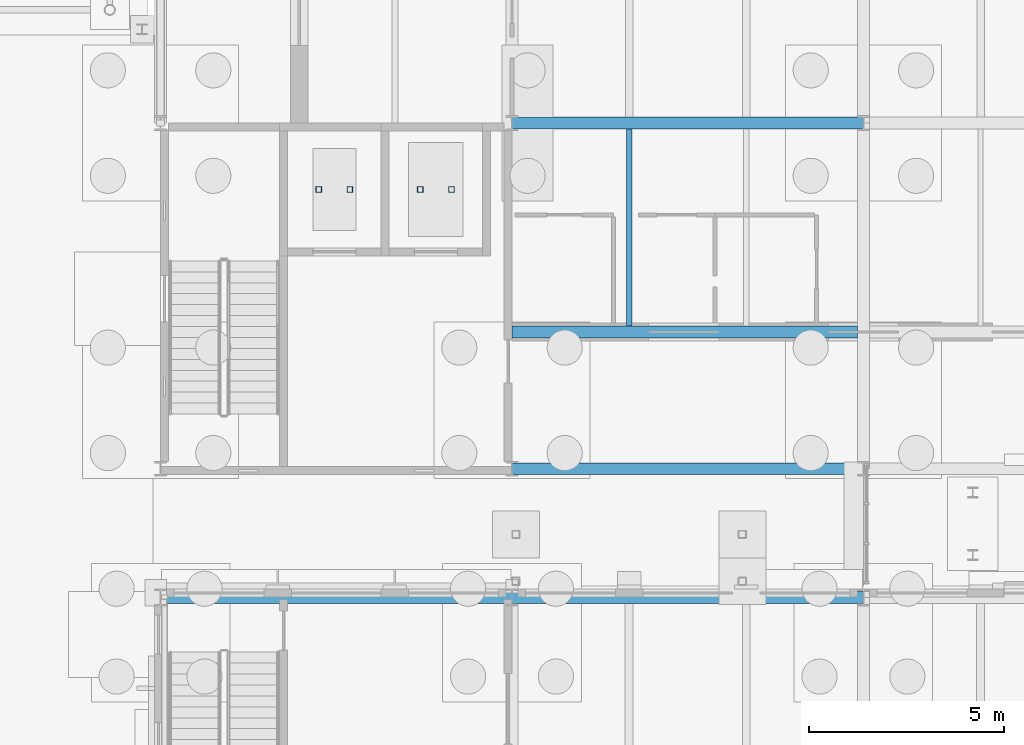
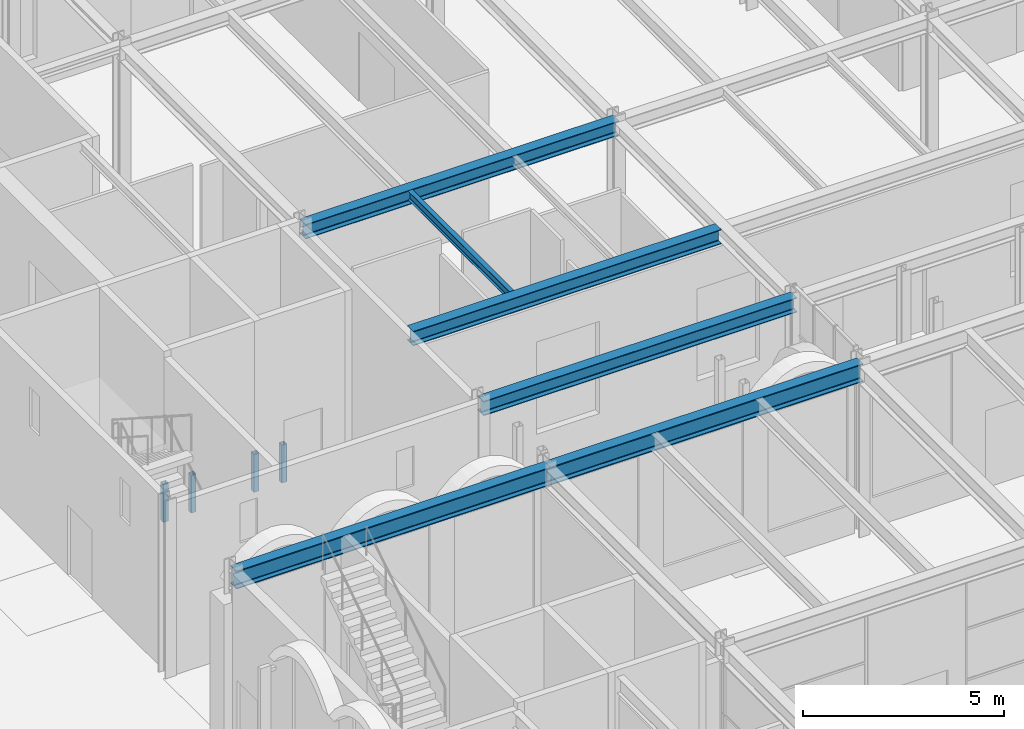
# One storey, part 47 of 126: 6 beams, 4 members.
"""IFC4 building model written with IfcOpenShell, lengths in metres."""

from ifc_helpers import new_model, si_unit, direction, frame, origin, origin_2d, place, context, subcontext, project, spatial, hollow_rectangle, i_section, extrude, material, material_profile, profile_set, type_object, element, save


model = new_model("IFC4")

# Units and contexts
model_context = context("Model", 3, precision=1e-05, world=origin(), true_north=direction((0.0, 1.0)))
body_context = subcontext(model_context, "Body", "Model", "MODEL_VIEW")
ifc_project = project(units=[si_unit("LENGTHUNIT", "METRE"), si_unit("AREAUNIT", "SQUARE_METRE"), si_unit("VOLUMEUNIT", "CUBIC_METRE"), si_unit("PLANEANGLEUNIT", "RADIAN"), si_unit("MASSUNIT", "GRAM", prefix="KILO")], contexts=[model_context])

# Site, building, storey
site_placement = place(None, origin())
site = spatial("IfcSite", under=ifc_project, at=site_placement, CompositionType="ELEMENT")
building_placement = place(site_placement, origin())
building = spatial("IfcBuilding", under=site, at=building_placement, Name="Kallimachos Central Library", CompositionType="ELEMENT")
storey_placement = place(building_placement, origin())
storey = spatial("IfcBuildingStorey", under=building, at=storey_placement, Name="L00", CompositionType="ELEMENT", Elevation=0.0)

# Beams
ifc_material_1 = material(Name="Steel S355J2", Category="steel")
ifc_material_profile_1 = material_profile(ifc_material_1, i_section(OverallWidth=0.300048828125, OverallDepth=0.43994140625, WebThickness=0.011474609375, FlangeThickness=0.02099609375, FilletRadius=0.027099609375, at=origin_2d()), Name="HEA 450")
ifc_profile_set_1 = profile_set([ifc_material_profile_1], Name="Steel S355J2")
beam_type_1 = type_object("IfcBeamType", Name="HEA 450 beam", PredefinedType="BEAM", material=ifc_profile_set_1)
for number, where, z_axis, x_axis, name in (
    (1, (74.5, 87.14990234375, 4.97998046875), (1.0, 0.0, 0.0), (0.0, 1.0, 0.0), "V1-BEM-L00-015"),
    (2, (74.5, 96.0, 4.97998046875), (1.0, 0.0, 0.0), (0.0, 1.0, 0.0), "V1-BEM-L00-018"),
):
    element("IfcBeam", number, at=place(storey_placement, frame(where, z_axis=z_axis, x_axis=x_axis)), inside=storey, type_object=beam_type_1, Name=name, PredefinedType="BEAM", context=body_context, shape_type="SweptSolid", body=[
        extrude(i_section(OverallWidth=0.300048828125, OverallDepth=0.43994140625, WebThickness=0.011474609375, FlangeThickness=0.02099609375, FilletRadius=0.027099609375, at=origin_2d()), origin(), (0.0, 0.0, 1.0), 9.0),
    ])
beam_1_placement = place(storey_placement, frame((74.5, 90.64990234375, 4.97998046875), z_axis=(1.0, 0.0, 0.0), x_axis=(0.0, 1.0, 0.0)))
element("IfcBeam", 3, at=beam_1_placement, inside=storey, type_object=beam_type_1, Name="V1-BEM-L00-031", PredefinedType="BEAM", context=body_context, shape_type="SweptSolid", body=[
    extrude(i_section(OverallWidth=0.300048828125, OverallDepth=0.43994140625, WebThickness=0.011474609375, FlangeThickness=0.02099609375, FilletRadius=0.027099609375, at=origin_2d()), origin(), (0.0, 0.0, 1.0), 8.85009765625),
])
ifc_material_2 = material(Name="Steel S355J2", Category="steel")
ifc_material_profile_2 = material_profile(ifc_material_2, i_section(OverallWidth=0.300048828125, OverallDepth=0.550048828125, WebThickness=0.014892578125, FlangeThickness=0.029052734375, FilletRadius=0.027099609375, at=origin_2d()), Name="HEB 550")
ifc_profile_set_2 = profile_set([ifc_material_profile_2], Name="Steel S355J2")
beam_type_2 = type_object("IfcBeamType", Name="HEB 550 beam", PredefinedType="BEAM", material=ifc_profile_set_2)
for number, where, z_axis, x_axis, name in (
    (4, (65.5, 83.85009765625, 4.925048828125), (1.0, 0.0, 0.0), (0.0, 1.0, 0.0), "V4-BEM-L00-004"),
    (5, (74.5, 83.85009765625, 4.925048828125), (1.0, 0.0, 0.0), (0.0, 1.0, 0.0), "V4-BEM-L00-005"),
):
    element("IfcBeam", number, at=place(storey_placement, frame(where, z_axis=z_axis, x_axis=x_axis)), inside=storey, type_object=beam_type_2, Name=name, PredefinedType="BEAM", context=body_context, shape_type="SweptSolid", body=[
        extrude(i_section(OverallWidth=0.300048828125, OverallDepth=0.550048828125, WebThickness=0.014892578125, FlangeThickness=0.029052734375, FilletRadius=0.027099609375, at=origin_2d()), origin(), (0.0, 0.0, 1.0), 9.0),
    ])
ifc_material_3 = material(Name="Steel S355J2", Category="steel")
ifc_material_profile_3 = material_profile(ifc_material_3, i_section(OverallWidth=0.135009765625, OverallDepth=0.27001953125, WebThickness=0.006591796875, FlangeThickness=0.01025390625, FilletRadius=0.014892578125, at=origin_2d()), Name="IPE 270")
ifc_profile_set_3 = profile_set([ifc_material_profile_3], Name="Steel S355J2")
beam_type_3 = type_object("IfcBeamType", Name="IPE 270 beam", PredefinedType="BEAM", material=ifc_profile_set_3)
beam_2_placement = place(storey_placement, frame((77.5, 90.800048828125, 5.06494140625), z_axis=(0.0, 1.0, 0.0), x_axis=(-1.0, 0.0, 0.0)))
element("IfcBeam", 6, at=beam_2_placement, inside=storey, type_object=beam_type_3, Name="V1-BEM-L00-035", PredefinedType="BEAM", context=body_context, shape_type="SweptSolid", body=[
    extrude(i_section(OverallWidth=0.135009765625, OverallDepth=0.27001953125, WebThickness=0.006591796875, FlangeThickness=0.01025390625, FilletRadius=0.014892578125, at=origin_2d()), origin(), (0.0, 0.0, 1.0), 5.050048828125),
])

# Members
ifc_material_4 = material(Name="Steel S355J2H", Category="steel")
ifc_material_profile_4 = material_profile(ifc_material_4, hollow_rectangle(XDim=0.14990234375, YDim=0.14990234375, WallThickness=0.010009765625, InnerFilletRadius=0.010009765625, OuterFilletRadius=0.014892578125, at=origin_2d()), Name="SHS 150x150x10")
ifc_profile_set_4 = profile_set([ifc_material_profile_4], Name="Steel S355J2H")
member_type = type_object("IfcMemberType", Name="SHS 150x150x10 lift buffer", PredefinedType="POST", material=ifc_profile_set_4)
for number, where, z_axis, x_axis, name in (
    (7, (69.550048828125, 94.300048828125, -1.10009765625), (0.0, 0.0, 1.0), (1.0, 0.0, 0.0), "Lift LF1 buffer"),
    (8, (70.35009765625, 94.300048828125, -1.10009765625), (0.0, 0.0, 1.0), (1.0, 0.0, 0.0), "Lift LF1 buffer"),
    (9, (72.14990234375, 94.300048828125, -1.10009765625), (0.0, 0.0, 1.0), (1.0, 0.0, 0.0), "Lift LF2 buffer"),
    (10, (72.949951171875, 94.300048828125, -1.10009765625), (0.0, 0.0, 1.0), (1.0, 0.0, 0.0), "Lift LF2 buffer"),
):
    element("IfcMember", number, at=place(storey_placement, frame(where, z_axis=z_axis, x_axis=x_axis)), inside=storey, type_object=member_type, Name=name, PredefinedType="POST", context=body_context, shape_type="SweptSolid", body=[
        extrude(hollow_rectangle(XDim=0.14990234375, YDim=0.14990234375, WallThickness=0.010009765625, InnerFilletRadius=0.010009765625, OuterFilletRadius=0.014892578125, at=origin_2d()), origin(), (0.0, 0.0, 1.0), 1.150146484375),
    ])

save(model, "model.ifc")
